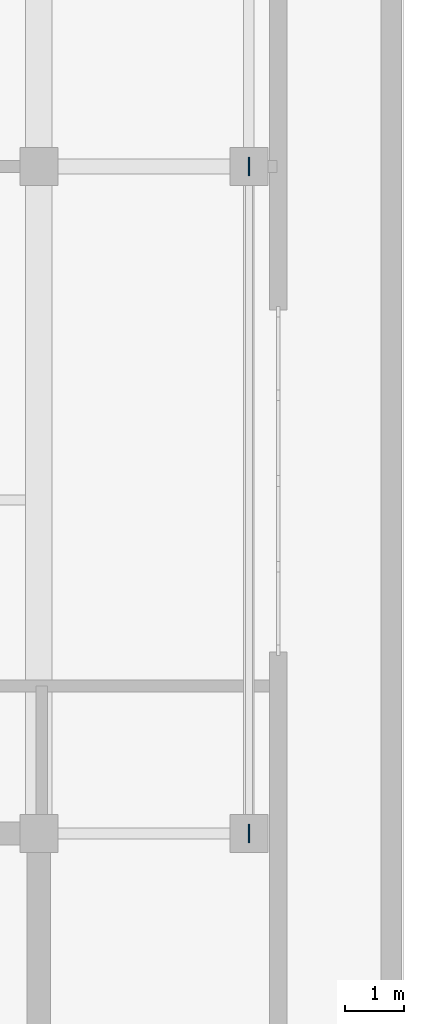
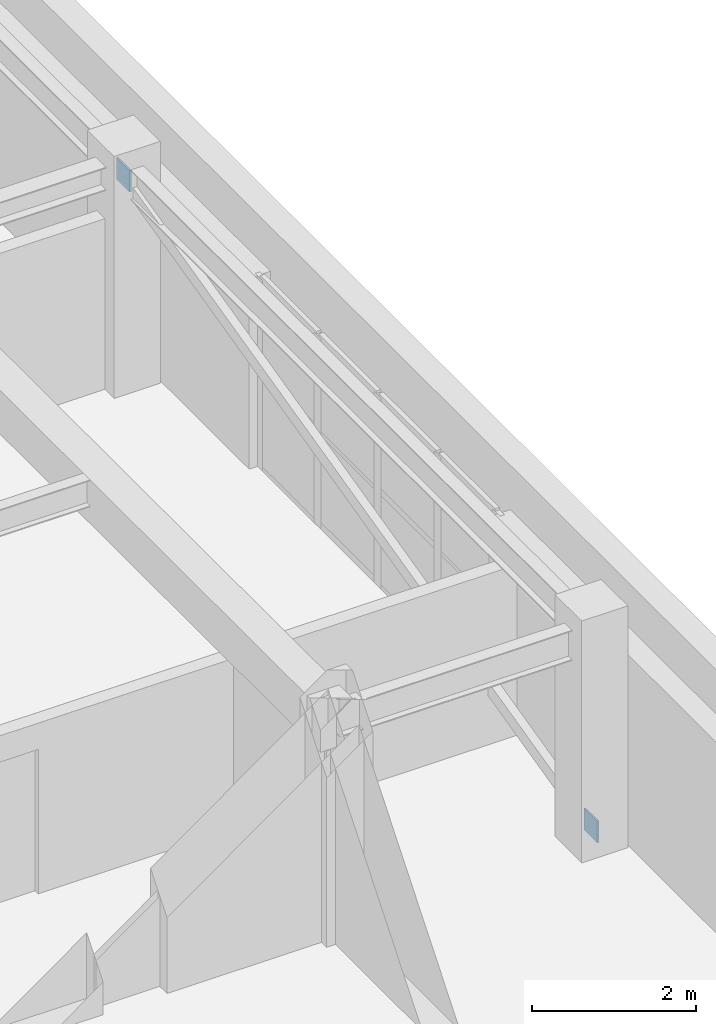
# One storey, part 8 of 9: 2 discrete accessories.
"""IFC4 building model written with IfcOpenShell, lengths in metres."""

from ifc_helpers import new_model, si_unit, direction, frame, origin, origin_2d, place, context, subcontext, project, spatial, rectangle, extrude, material, layer, layer_set, type_object, element, save


model = new_model("IFC4")

# Units and contexts
model_context = context("Model", 3, precision=1e-05, world=origin(), true_north=direction((0.0, 1.0)))
body_context = subcontext(model_context, "Body", "Model", "MODEL_VIEW")
ifc_project = project(units=[si_unit("LENGTHUNIT", "METRE"), si_unit("AREAUNIT", "SQUARE_METRE"), si_unit("VOLUMEUNIT", "CUBIC_METRE"), si_unit("PLANEANGLEUNIT", "RADIAN"), si_unit("MASSUNIT", "GRAM", prefix="KILO")], contexts=[model_context])

# Site, building, storey
site_placement = place(None, origin())
site = spatial("IfcSite", under=ifc_project, at=site_placement, CompositionType="ELEMENT")
building_placement = place(site_placement, origin())
building = spatial("IfcBuilding", under=site, at=building_placement, Name="Svetorya Sky Lyceum", CompositionType="ELEMENT")
storey_placement = place(building_placement, frame((0.0, 0.0, 302.0)))
storey = spatial("IfcBuildingStorey", under=building, at=storey_placement, Name="C01", CompositionType="ELEMENT", Elevation=302.0)

# Discrete accessories
ifc_material = material(Name="Steel S355", Category="steel")
ifc_layer = layer(ifc_material, 0.02392578125)
ifc_layer_set = layer_set([ifc_layer], Name="Steel S355")
discrete_accessory_type = type_object("IfcDiscreteAccessoryType", Name="ACC-GUSSET-24", PredefinedType="BRACKET", material=ifc_layer_set)
for number, where, z_axis, x_axis, name in (
    (1, (56.389892578125, 16.800048828125, 0.08984375), (0.0, 0.0, 1.0), (1.0, 0.0, 0.0), "C01 Brace Node Gusset Plate 195"),
    (2, (56.389892578125, 28.199951171875, 2.85986328125), (0.0, 0.0, 1.0), (1.0, 0.0, 0.0), "C01 Brace Node Gusset Plate 196"),
):
    element("IfcDiscreteAccessory", number, at=place(storey_placement, frame(where, z_axis=z_axis, x_axis=x_axis)), inside=storey, type_object=discrete_accessory_type, Name=name, PredefinedType="BRACKET", context=body_context, shape_type="SweptSolid", body=[
        extrude(rectangle(XDim=0.02392578125, YDim=0.320068359375, at=origin_2d()), origin(), (0.0, 0.0, 1.0), 0.320068359375),
    ])

save(model, "model.ifc")
